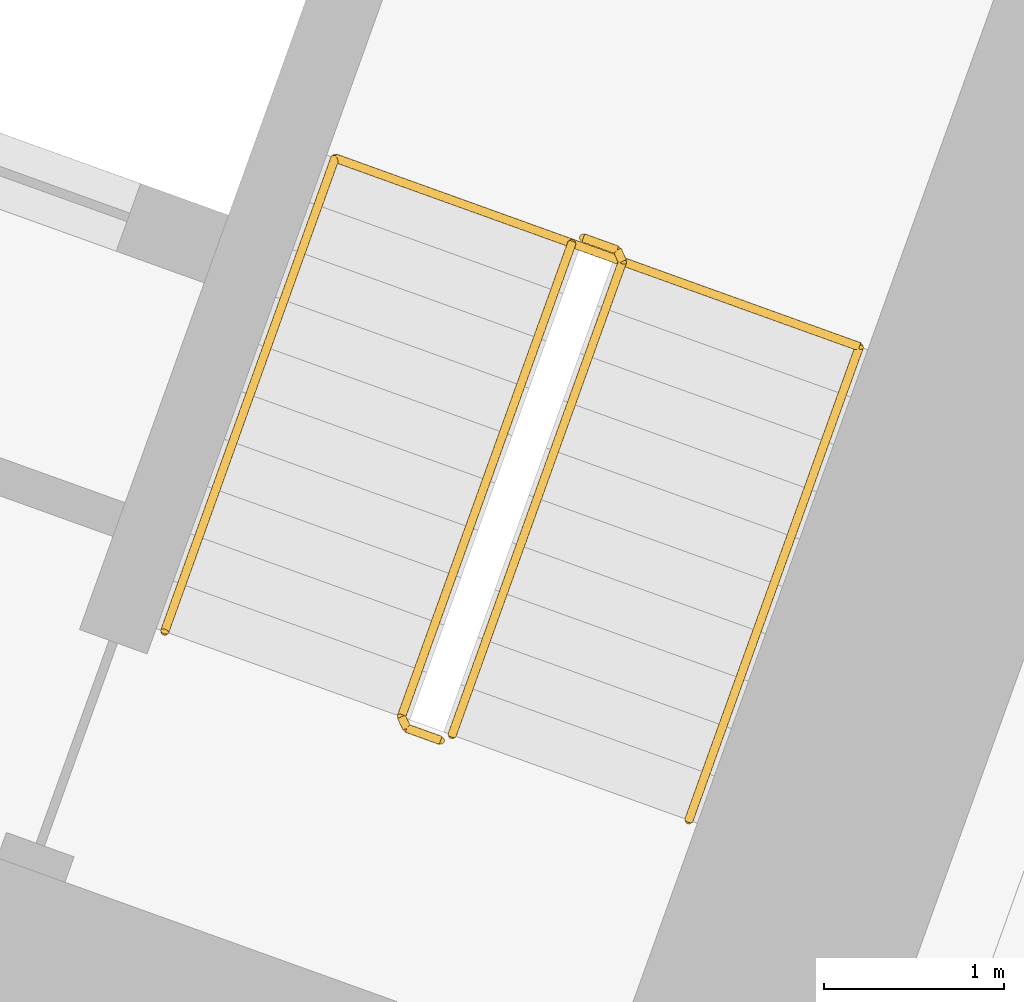
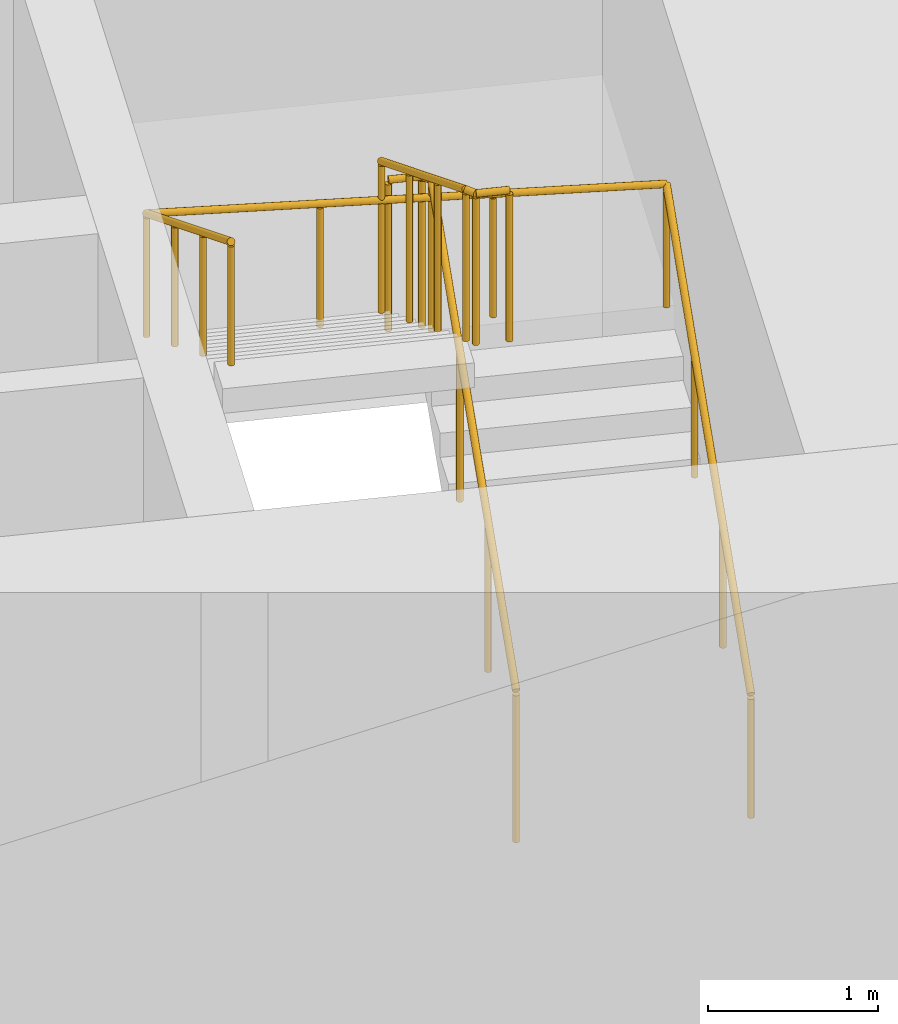
# One storey, part 22 of 22: 3 railings.
"""IFC4 building model written with IfcOpenShell, lengths in metres."""

from ifc_helpers import new_model, si_unit, direction, frame, origin, origin_2d, place, context, subcontext, project, spatial, circle, extrude, material, type_object, element, save


model = new_model("IFC4")

# Units and contexts
model_context = context("Model", 3, precision=1e-05, world=origin(), true_north=direction((0.0, 1.0)))
body_context = subcontext(model_context, "Body", "Model", "MODEL_VIEW")
ifc_project = project(units=[si_unit("LENGTHUNIT", "METRE"), si_unit("AREAUNIT", "SQUARE_METRE"), si_unit("VOLUMEUNIT", "CUBIC_METRE"), si_unit("PLANEANGLEUNIT", "RADIAN"), si_unit("MASSUNIT", "GRAM", prefix="KILO")], contexts=[model_context])

# Site, building, storey
site_placement = place(None, origin())
site = spatial("IfcSite", under=ifc_project, at=site_placement, CompositionType="ELEMENT")
building_placement = place(site_placement, origin())
building = spatial("IfcBuilding", under=site, at=building_placement, Name="Stone Belt Terrace Tower", CompositionType="ELEMENT")
storey_placement = place(building_placement, frame((0.0, 0.0, 155.39990234375)))
storey = spatial("IfcBuildingStorey", under=building, at=storey_placement, Name="L37", CompositionType="ELEMENT", Elevation=155.39990234375)

# Railings
ifc_material = material(Name="Structural steel C345", Category="steel")
railing_type_1 = type_object("IfcRailingType", Name="Stair guard 1100", PredefinedType="GUARDRAIL", material=ifc_material)
railing_1_placement = place(storey_placement, frame((24.494140625, 45.174560546875, 0.1728515625)))
element("IfcRailing", 1, at=railing_1_placement, inside=storey, type_object=railing_type_1, Name="L37 ST1B stair guard 1", PredefinedType="GUARDRAIL", context=body_context, shape_type="SweptSolid", body=[
    extrude(circle(Radius=0.02392578125, at=origin_2d()), frame((0.0, 0.0, 1.076171875), z_axis=(0.288228637646, 0.800791768495, 0.525030280985), x_axis=(-0.940908529223, 0.338660803216, 0.0)), (0.0, 0.0, 1.0), 3.289794921875),
    extrude(circle(Radius=0.02392578125, at=origin_2d()), frame((0.9482421875, 2.634521484375, 2.80322265625), z_axis=(-0.424964916, 0.905209821074, 0.0), x_axis=(-0.905209821074, -0.424964916, 0.0)), (0.0, 0.0, 1.0), 0.070556640625),
    extrude(circle(Radius=0.02392578125, at=origin_2d()), frame((0.918212890625, 2.698486328125, 2.80322265625), z_axis=(-0.941105063269, 0.338114270461, 0.0), x_axis=(-0.338114270461, -0.941105063269, 0.0)), (0.0, 0.0, 1.0), 0.199951171875),
    extrude(circle(Radius=0.02099609375, at=origin_2d()), origin(), (0.0, 0.0, 1.0), 1.052001953125),
    extrude(circle(Radius=0.02099609375, at=origin_2d()), frame((0.316162109375, 0.878173828125, 0.57568359375)), (0.0, 0.0, 1.0), 1.052001953125),
    extrude(circle(Radius=0.02099609375, at=origin_2d()), frame((0.632080078125, 1.75634765625, 1.151611328125)), (0.0, 0.0, 1.0), 1.052001953125),
    extrude(circle(Radius=0.02099609375, at=origin_2d()), frame((0.9482421875, 2.634521484375, 1.727294921875)), (0.0, 0.0, 1.0), 1.052001953125),
    extrude(circle(Radius=0.02099609375, at=origin_2d()), frame((0.918212890625, 2.698486328125, 1.727294921875)), (0.0, 0.0, 1.0), 1.052001953125),
    extrude(circle(Radius=0.02099609375, at=origin_2d()), frame((0.72998046875, 2.76611328125, 1.727294921875)), (0.0, 0.0, 1.0), 1.052001953125),
])
railing_2_placement = place(storey_placement, frame((25.16015625, 47.91064453125, 2.07275390625)))
element("IfcRailing", 2, at=railing_2_placement, inside=storey, type_object=railing_type_1, Name="L37 ST1B stair guard 2", PredefinedType="GUARDRAIL", context=body_context, shape_type="SweptSolid", body=[
    extrude(circle(Radius=0.02392578125, at=origin_2d()), frame((0.0, 0.0, 1.076171875), z_axis=(-0.288228637646, -0.800791768495, 0.525030280985), x_axis=(0.940908529223, -0.338660803216, 0.0)), (0.0, 0.0, 1.0), 3.289794921875),
    extrude(circle(Radius=0.02392578125, at=origin_2d()), frame((-0.9482421875, -2.634521484375, 2.80322265625), z_axis=(0.427789722475, -0.903878284585, 0.0), x_axis=(0.903878284585, 0.427789722475, 0.0)), (0.0, 0.0, 1.0), 0.07080078125),
    extrude(circle(Radius=0.02392578125, at=origin_2d()), frame((-0.91796875, -2.698486328125, 2.80322265625), z_axis=(0.940575576748, -0.339584429008, 0.0), x_axis=(0.339584429008, 0.940575576748, 0.0)), (0.0, 0.0, 1.0), 0.199951171875),
    extrude(circle(Radius=0.02099609375, at=origin_2d()), origin(), (0.0, 0.0, 1.0), 1.052001953125),
    extrude(circle(Radius=0.02099609375, at=origin_2d()), frame((-0.316162109375, -0.878173828125, 0.57568359375)), (0.0, 0.0, 1.0), 1.052001953125),
    extrude(circle(Radius=0.02099609375, at=origin_2d()), frame((-0.632080078125, -1.75634765625, 1.151611328125)), (0.0, 0.0, 1.0), 1.052001953125),
    extrude(circle(Radius=0.02099609375, at=origin_2d()), frame((-0.9482421875, -2.634521484375, 1.727294921875)), (0.0, 0.0, 1.0), 1.052001953125),
    extrude(circle(Radius=0.02099609375, at=origin_2d()), frame((-0.91796875, -2.698486328125, 1.727294921875)), (0.0, 0.0, 1.0), 1.052001953125),
    extrude(circle(Radius=0.02099609375, at=origin_2d()), frame((-0.72998046875, -2.766357421875, 1.727294921875)), (0.0, 0.0, 1.0), 1.052001953125),
])
railing_type_2 = type_object("IfcRailingType", Name="Stair handrail 900", PredefinedType="HANDRAIL", material=ifc_material)
railing_3_placement = place(storey_placement, frame((25.8115234375, 44.700439453125, 0.1728515625)))
element("IfcRailing", 3, at=railing_3_placement, inside=storey, type_object=railing_type_2, Name="L37 ST1B stair handrail 1", PredefinedType="HANDRAIL", context=body_context, shape_type="SweptSolid", body=[
    extrude(circle(Radius=0.02392578125, at=origin_2d()), frame((0.0, 0.0, 0.8759765625), z_axis=(0.288228637646, 0.800791768495, 0.525030280985), x_axis=(-0.940908529223, 0.338660803216, 0.0)), (0.0, 0.0, 1.0), 3.289794921875),
    extrude(circle(Radius=0.02392578125, at=origin_2d()), frame((0.9482421875, 2.634521484375, 2.60302734375), z_axis=(-0.939464517435, 0.338106580597, 0.055591012205), x_axis=(-0.338630230244, -0.940919532779, 0.0)), (0.0, 0.0, 1.0), 3.10498046875),
    extrude(circle(Radius=0.02392578125, at=origin_2d()), frame((-1.96875, 3.684326171875, 2.77587890625), z_axis=(-0.288160591223, -0.800808895155, 0.52504150989), x_axis=(0.940936311087, -0.338583606334, 0.0)), (0.0, 0.0, 1.0), 3.289794921875),
    extrude(circle(Radius=0.02099609375, at=origin_2d()), origin(), (0.0, 0.0, 1.0), 0.851806640625),
    extrude(circle(Radius=0.02099609375, at=origin_2d()), frame((0.316162109375, 0.878173828125, 0.57568359375)), (0.0, 0.0, 1.0), 0.851806640625),
    extrude(circle(Radius=0.02099609375, at=origin_2d()), frame((0.632080078125, 1.75634765625, 1.151611328125)), (0.0, 0.0, 1.0), 0.851806640625),
    extrude(circle(Radius=0.02099609375, at=origin_2d()), frame((0.9482421875, 2.634521484375, 1.727294921875)), (0.0, 0.0, 1.0), 0.851806640625),
    extrude(circle(Radius=0.02099609375, at=origin_2d()), frame((-0.024169921875, 2.984375, 1.784912109375)), (0.0, 0.0, 1.0), 0.851806640625),
    extrude(circle(Radius=0.02099609375, at=origin_2d()), frame((-0.996337890625, 3.33447265625, 1.84228515625)), (0.0, 0.0, 1.0), 0.851806640625),
    extrude(circle(Radius=0.02099609375, at=origin_2d()), frame((-1.96875, 3.684326171875, 1.89990234375)), (0.0, 0.0, 1.0), 0.851806640625),
    extrude(circle(Radius=0.02099609375, at=origin_2d()), frame((-2.28466796875, 2.80615234375, 2.4755859375)), (0.0, 0.0, 1.0), 0.851806640625),
    extrude(circle(Radius=0.02099609375, at=origin_2d()), frame((-2.600830078125, 1.927978515625, 3.051513671875)), (0.0, 0.0, 1.0), 0.851806640625),
    extrude(circle(Radius=0.02099609375, at=origin_2d()), frame((-2.916748046875, 1.0498046875, 3.627197265625)), (0.0, 0.0, 1.0), 0.851806640625),
])

save(model, "model.ifc")
